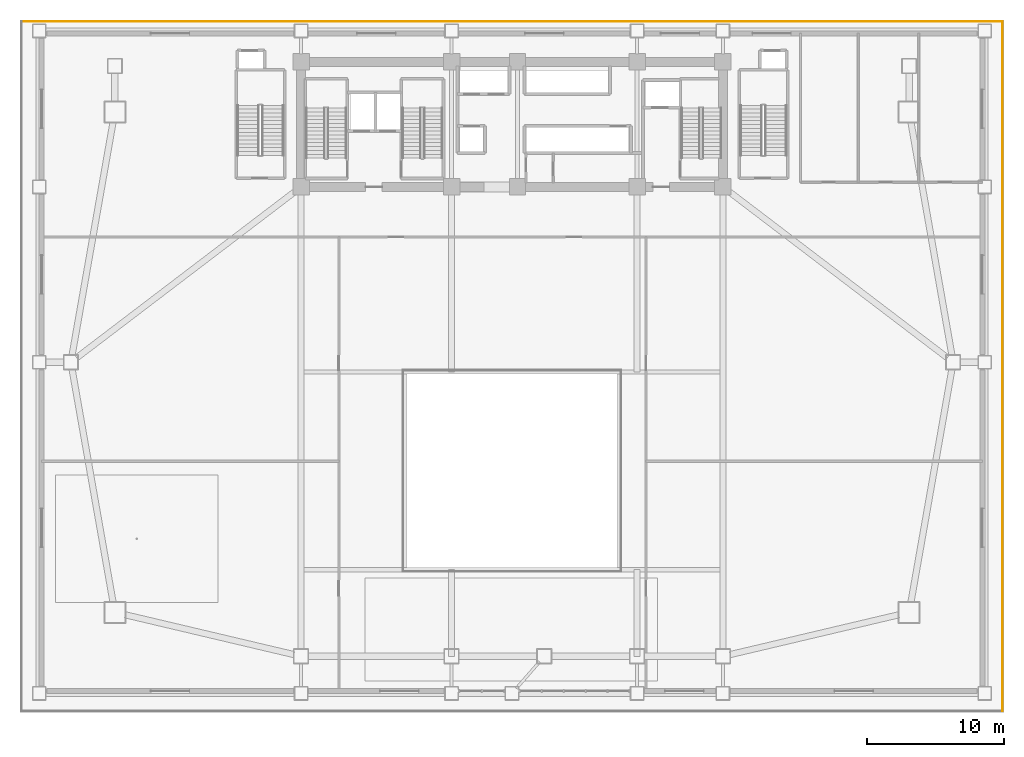
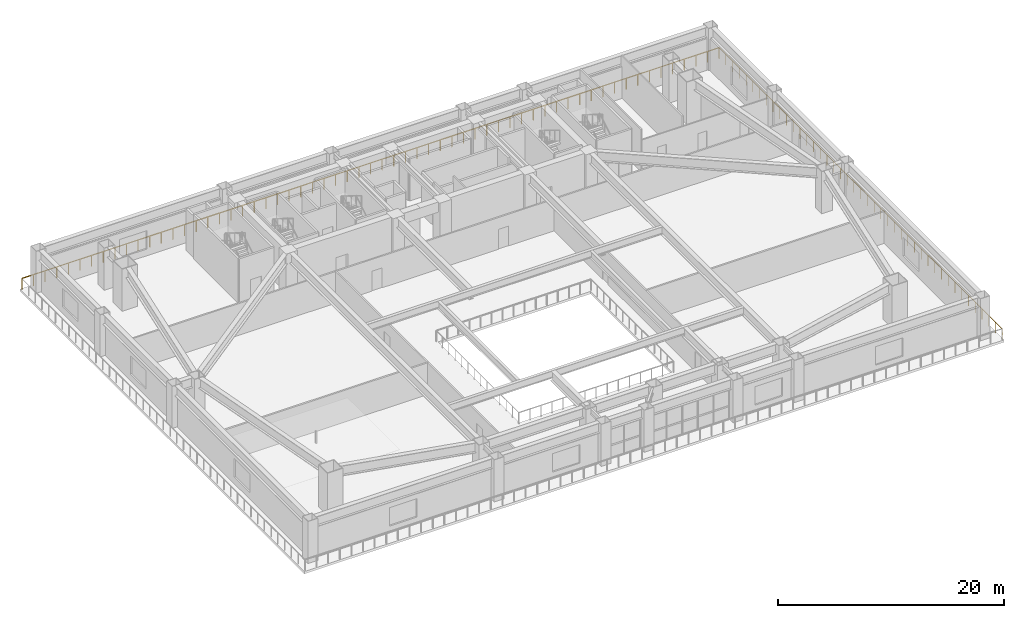
# One storey, part 14 of 14: 2 railings.
"""IFC4 building model written with IfcOpenShell, lengths in metres."""

from ifc_helpers import new_model, si_unit, direction, frame, origin, origin_2d, place, context, subcontext, project, spatial, rectangle, extrude, material, type_object, element, save


model = new_model("IFC4")

# Units and contexts
model_context = context("Model", 3, precision=1e-05, world=origin(), true_north=direction((0.0, 1.0)))
body_context = subcontext(model_context, "Body", "Model", "MODEL_VIEW")
ifc_project = project(units=[si_unit("LENGTHUNIT", "METRE"), si_unit("AREAUNIT", "SQUARE_METRE"), si_unit("VOLUMEUNIT", "CUBIC_METRE"), si_unit("PLANEANGLEUNIT", "RADIAN"), si_unit("MASSUNIT", "GRAM", prefix="KILO")], contexts=[model_context])

# Site, building, storey
site_placement = place(None, origin())
site = spatial("IfcSite", under=ifc_project, at=site_placement, CompositionType="ELEMENT")
building_placement = place(site_placement, origin())
building = spatial("IfcBuilding", under=site, at=building_placement, Name="Giltprow Tower", CompositionType="ELEMENT")
storey_placement = place(building_placement, frame((0.0, 0.0, 10.39990234375)))
storey = spatial("IfcBuildingStorey", under=building, at=storey_placement, Name="L03", CompositionType="ELEMENT", Elevation=10.39990234375)

# Railings
ifc_material = material(Name="Anodized bronze", Category="metal")
railing_type = type_object("IfcRailingType", Name="RAIL-BALC-GUARD-1200", PredefinedType="BALUSTRADE", material=ifc_material)
railing_1_placement = place(storey_placement, frame((70.8798828125, -0.679931640625, 0.0)))
element("IfcRailing", 1, at=railing_1_placement, inside=storey, type_object=railing_type, Name="L03 Podium Perimeter Cornice Balustrade Seg 2", PredefinedType="BALUSTRADE", context=body_context, shape_type="SweptSolid", body=[
    extrude(rectangle(XDim=0.048095703125, YDim=0.048095703125, at=origin_2d()), frame((0.0, 0.0, 1.17578125), z_axis=(0.0, 1.0, 0.0), x_axis=(-1.0, 0.0, 0.0)), (0.0, 0.0, 1.0), 50.159912109375),
    extrude(rectangle(XDim=0.0419921875, YDim=0.0419921875, at=origin_2d()), origin(), (0.0, 0.0, 1.0), 1.15185546875),
    extrude(rectangle(XDim=0.0419921875, YDim=0.0419921875, at=origin_2d()), frame((0.0, 1.1943359375, 0.0)), (0.0, 0.0, 1.0), 1.15185546875),
    extrude(rectangle(XDim=0.0419921875, YDim=0.0419921875, at=origin_2d()), frame((0.0, 2.388671875, 0.0)), (0.0, 0.0, 1.0), 1.15185546875),
    extrude(rectangle(XDim=0.0419921875, YDim=0.0419921875, at=origin_2d()), frame((0.0, 3.582763671875, 0.0)), (0.0, 0.0, 1.0), 1.15185546875),
    extrude(rectangle(XDim=0.0419921875, YDim=0.0419921875, at=origin_2d()), frame((0.0, 4.777099609375, 0.0)), (0.0, 0.0, 1.0), 1.15185546875),
    extrude(rectangle(XDim=0.0419921875, YDim=0.0419921875, at=origin_2d()), frame((0.0, 5.971435546875, 0.0)), (0.0, 0.0, 1.0), 1.15185546875),
    extrude(rectangle(XDim=0.0419921875, YDim=0.0419921875, at=origin_2d()), frame((0.0, 7.165771484375, 0.0)), (0.0, 0.0, 1.0), 1.15185546875),
    extrude(rectangle(XDim=0.0419921875, YDim=0.0419921875, at=origin_2d()), frame((0.0, 8.35986328125, 0.0)), (0.0, 0.0, 1.0), 1.15185546875),
    extrude(rectangle(XDim=0.0419921875, YDim=0.0419921875, at=origin_2d()), frame((0.0, 9.55419921875, 0.0)), (0.0, 0.0, 1.0), 1.15185546875),
    extrude(rectangle(XDim=0.0419921875, YDim=0.0419921875, at=origin_2d()), frame((0.0, 10.74853515625, 0.0)), (0.0, 0.0, 1.0), 1.15185546875),
    extrude(rectangle(XDim=0.0419921875, YDim=0.0419921875, at=origin_2d()), frame((0.0, 11.94287109375, 0.0)), (0.0, 0.0, 1.0), 1.15185546875),
    extrude(rectangle(XDim=0.0419921875, YDim=0.0419921875, at=origin_2d()), frame((0.0, 13.13720703125, 0.0)), (0.0, 0.0, 1.0), 1.15185546875),
    extrude(rectangle(XDim=0.0419921875, YDim=0.0419921875, at=origin_2d()), frame((0.0, 14.331298828125, 0.0)), (0.0, 0.0, 1.0), 1.15185546875),
    extrude(rectangle(XDim=0.0419921875, YDim=0.0419921875, at=origin_2d()), frame((0.0, 15.525634765625, 0.0)), (0.0, 0.0, 1.0), 1.15185546875),
    extrude(rectangle(XDim=0.0419921875, YDim=0.0419921875, at=origin_2d()), frame((0.0, 16.719970703125, 0.0)), (0.0, 0.0, 1.0), 1.15185546875),
    extrude(rectangle(XDim=0.0419921875, YDim=0.0419921875, at=origin_2d()), frame((0.0, 17.914306640625, 0.0)), (0.0, 0.0, 1.0), 1.15185546875),
    extrude(rectangle(XDim=0.0419921875, YDim=0.0419921875, at=origin_2d()), frame((0.0, 19.108642578125, 0.0)), (0.0, 0.0, 1.0), 1.15185546875),
    extrude(rectangle(XDim=0.0419921875, YDim=0.0419921875, at=origin_2d()), frame((0.0, 20.302734375, 0.0)), (0.0, 0.0, 1.0), 1.15185546875),
    extrude(rectangle(XDim=0.0419921875, YDim=0.0419921875, at=origin_2d()), frame((0.0, 21.4970703125, 0.0)), (0.0, 0.0, 1.0), 1.15185546875),
    extrude(rectangle(XDim=0.0419921875, YDim=0.0419921875, at=origin_2d()), frame((0.0, 22.69140625, 0.0)), (0.0, 0.0, 1.0), 1.15185546875),
    extrude(rectangle(XDim=0.0419921875, YDim=0.0419921875, at=origin_2d()), frame((0.0, 23.8857421875, 0.0)), (0.0, 0.0, 1.0), 1.15185546875),
    extrude(rectangle(XDim=0.0419921875, YDim=0.0419921875, at=origin_2d()), frame((0.0, 25.080078125, 0.0)), (0.0, 0.0, 1.0), 1.15185546875),
    extrude(rectangle(XDim=0.0419921875, YDim=0.0419921875, at=origin_2d()), frame((0.0, 26.274169921875, 0.0)), (0.0, 0.0, 1.0), 1.15185546875),
    extrude(rectangle(XDim=0.0419921875, YDim=0.0419921875, at=origin_2d()), frame((0.0, 27.468505859375, 0.0)), (0.0, 0.0, 1.0), 1.15185546875),
    extrude(rectangle(XDim=0.0419921875, YDim=0.0419921875, at=origin_2d()), frame((0.0, 28.662841796875, 0.0)), (0.0, 0.0, 1.0), 1.15185546875),
    extrude(rectangle(XDim=0.0419921875, YDim=0.0419921875, at=origin_2d()), frame((0.0, 29.857177734375, 0.0)), (0.0, 0.0, 1.0), 1.15185546875),
    extrude(rectangle(XDim=0.0419921875, YDim=0.0419921875, at=origin_2d()), frame((0.0, 31.05126953125, 0.0)), (0.0, 0.0, 1.0), 1.15185546875),
    extrude(rectangle(XDim=0.0419921875, YDim=0.0419921875, at=origin_2d()), frame((0.0, 32.24560546875, 0.0)), (0.0, 0.0, 1.0), 1.15185546875),
    extrude(rectangle(XDim=0.0419921875, YDim=0.0419921875, at=origin_2d()), frame((0.0, 33.43994140625, 0.0)), (0.0, 0.0, 1.0), 1.15185546875),
    extrude(rectangle(XDim=0.0419921875, YDim=0.0419921875, at=origin_2d()), frame((0.0, 34.63427734375, 0.0)), (0.0, 0.0, 1.0), 1.15185546875),
    extrude(rectangle(XDim=0.0419921875, YDim=0.0419921875, at=origin_2d()), frame((0.0, 35.82861328125, 0.0)), (0.0, 0.0, 1.0), 1.15185546875),
    extrude(rectangle(XDim=0.0419921875, YDim=0.0419921875, at=origin_2d()), frame((0.0, 37.022705078125, 0.0)), (0.0, 0.0, 1.0), 1.15185546875),
    extrude(rectangle(XDim=0.0419921875, YDim=0.0419921875, at=origin_2d()), frame((0.0, 38.217041015625, 0.0)), (0.0, 0.0, 1.0), 1.15185546875),
    extrude(rectangle(XDim=0.0419921875, YDim=0.0419921875, at=origin_2d()), frame((0.0, 39.411376953125, 0.0)), (0.0, 0.0, 1.0), 1.15185546875),
    extrude(rectangle(XDim=0.0419921875, YDim=0.0419921875, at=origin_2d()), frame((0.0, 40.605712890625, 0.0)), (0.0, 0.0, 1.0), 1.15185546875),
    extrude(rectangle(XDim=0.0419921875, YDim=0.0419921875, at=origin_2d()), frame((0.0, 41.7998046875, 0.0)), (0.0, 0.0, 1.0), 1.15185546875),
    extrude(rectangle(XDim=0.0419921875, YDim=0.0419921875, at=origin_2d()), frame((0.0, 42.994140625, 0.0)), (0.0, 0.0, 1.0), 1.15185546875),
    extrude(rectangle(XDim=0.0419921875, YDim=0.0419921875, at=origin_2d()), frame((0.0, 44.1884765625, 0.0)), (0.0, 0.0, 1.0), 1.15185546875),
    extrude(rectangle(XDim=0.0419921875, YDim=0.0419921875, at=origin_2d()), frame((0.0, 45.3828125, 0.0)), (0.0, 0.0, 1.0), 1.15185546875),
    extrude(rectangle(XDim=0.0419921875, YDim=0.0419921875, at=origin_2d()), frame((0.0, 46.5771484375, 0.0)), (0.0, 0.0, 1.0), 1.15185546875),
    extrude(rectangle(XDim=0.0419921875, YDim=0.0419921875, at=origin_2d()), frame((0.0, 47.771240234375, 0.0)), (0.0, 0.0, 1.0), 1.15185546875),
    extrude(rectangle(XDim=0.0419921875, YDim=0.0419921875, at=origin_2d()), frame((0.0, 48.965576171875, 0.0)), (0.0, 0.0, 1.0), 1.15185546875),
    extrude(rectangle(XDim=0.0419921875, YDim=0.0419921875, at=origin_2d()), frame((0.0, 50.159912109375, 0.0)), (0.0, 0.0, 1.0), 1.15185546875),
])
railing_2_placement = place(storey_placement, frame((70.8798828125, 49.47998046875, 0.0)))
element("IfcRailing", 2, at=railing_2_placement, inside=storey, type_object=railing_type, Name="L03 Podium Perimeter Cornice Balustrade Seg 3", PredefinedType="BALUSTRADE", context=body_context, shape_type="SweptSolid", body=[
    extrude(rectangle(XDim=0.048095703125, YDim=0.048095703125, at=origin_2d()), frame((0.0, 0.0, 1.17578125), z_axis=(-1.0, 0.0, 0.0), x_axis=(0.0, -1.0, 0.0)), (0.0, 0.0, 1.0), 71.35986328125),
    extrude(rectangle(XDim=0.0419921875, YDim=0.0419921875, at=origin_2d()), origin(), (0.0, 0.0, 1.0), 1.15185546875),
    extrude(rectangle(XDim=0.0419921875, YDim=0.0419921875, at=origin_2d()), frame((-1.189453125, 0.0, 0.0)), (0.0, 0.0, 1.0), 1.15185546875),
    extrude(rectangle(XDim=0.0419921875, YDim=0.0419921875, at=origin_2d()), frame((-2.378662109375, 0.0, 0.0)), (0.0, 0.0, 1.0), 1.15185546875),
    extrude(rectangle(XDim=0.0419921875, YDim=0.0419921875, at=origin_2d()), frame((-3.56787109375, 0.0, 0.0)), (0.0, 0.0, 1.0), 1.15185546875),
    extrude(rectangle(XDim=0.0419921875, YDim=0.0419921875, at=origin_2d()), frame((-4.75732421875, 0.0, 0.0)), (0.0, 0.0, 1.0), 1.15185546875),
    extrude(rectangle(XDim=0.0419921875, YDim=0.0419921875, at=origin_2d()), frame((-5.94677734375, 0.0, 0.0)), (0.0, 0.0, 1.0), 1.15185546875),
    extrude(rectangle(XDim=0.0419921875, YDim=0.0419921875, at=origin_2d()), frame((-7.135986328125, 0.0, 0.0)), (0.0, 0.0, 1.0), 1.15185546875),
    extrude(rectangle(XDim=0.0419921875, YDim=0.0419921875, at=origin_2d()), frame((-8.3251953125, 0.0, 0.0)), (0.0, 0.0, 1.0), 1.15185546875),
    extrude(rectangle(XDim=0.0419921875, YDim=0.0419921875, at=origin_2d()), frame((-9.5146484375, 0.0, 0.0)), (0.0, 0.0, 1.0), 1.15185546875),
    extrude(rectangle(XDim=0.0419921875, YDim=0.0419921875, at=origin_2d()), frame((-10.7041015625, 0.0, 0.0)), (0.0, 0.0, 1.0), 1.15185546875),
    extrude(rectangle(XDim=0.0419921875, YDim=0.0419921875, at=origin_2d()), frame((-11.893310546875, 0.0, 0.0)), (0.0, 0.0, 1.0), 1.15185546875),
    extrude(rectangle(XDim=0.0419921875, YDim=0.0419921875, at=origin_2d()), frame((-13.08251953125, 0.0, 0.0)), (0.0, 0.0, 1.0), 1.15185546875),
    extrude(rectangle(XDim=0.0419921875, YDim=0.0419921875, at=origin_2d()), frame((-14.27197265625, 0.0, 0.0)), (0.0, 0.0, 1.0), 1.15185546875),
    extrude(rectangle(XDim=0.0419921875, YDim=0.0419921875, at=origin_2d()), frame((-15.46142578125, 0.0, 0.0)), (0.0, 0.0, 1.0), 1.15185546875),
    extrude(rectangle(XDim=0.0419921875, YDim=0.0419921875, at=origin_2d()), frame((-16.650634765625, 0.0, 0.0)), (0.0, 0.0, 1.0), 1.15185546875),
    extrude(rectangle(XDim=0.0419921875, YDim=0.0419921875, at=origin_2d()), frame((-17.83984375, 0.0, 0.0)), (0.0, 0.0, 1.0), 1.15185546875),
    extrude(rectangle(XDim=0.0419921875, YDim=0.0419921875, at=origin_2d()), frame((-19.029296875, 0.0, 0.0)), (0.0, 0.0, 1.0), 1.15185546875),
    extrude(rectangle(XDim=0.0419921875, YDim=0.0419921875, at=origin_2d()), frame((-20.21875, 0.0, 0.0)), (0.0, 0.0, 1.0), 1.15185546875),
    extrude(rectangle(XDim=0.0419921875, YDim=0.0419921875, at=origin_2d()), frame((-21.407958984375, 0.0, 0.0)), (0.0, 0.0, 1.0), 1.15185546875),
    extrude(rectangle(XDim=0.0419921875, YDim=0.0419921875, at=origin_2d()), frame((-22.59716796875, 0.0, 0.0)), (0.0, 0.0, 1.0), 1.15185546875),
    extrude(rectangle(XDim=0.0419921875, YDim=0.0419921875, at=origin_2d()), frame((-23.78662109375, 0.0, 0.0)), (0.0, 0.0, 1.0), 1.15185546875),
    extrude(rectangle(XDim=0.0419921875, YDim=0.0419921875, at=origin_2d()), frame((-24.97607421875, 0.0, 0.0)), (0.0, 0.0, 1.0), 1.15185546875),
    extrude(rectangle(XDim=0.0419921875, YDim=0.0419921875, at=origin_2d()), frame((-26.165283203125, 0.0, 0.0)), (0.0, 0.0, 1.0), 1.15185546875),
    extrude(rectangle(XDim=0.0419921875, YDim=0.0419921875, at=origin_2d()), frame((-27.354736328125, 0.0, 0.0)), (0.0, 0.0, 1.0), 1.15185546875),
    extrude(rectangle(XDim=0.0419921875, YDim=0.0419921875, at=origin_2d()), frame((-28.5439453125, 0.0, 0.0)), (0.0, 0.0, 1.0), 1.15185546875),
    extrude(rectangle(XDim=0.0419921875, YDim=0.0419921875, at=origin_2d()), frame((-29.7333984375, 0.0, 0.0)), (0.0, 0.0, 1.0), 1.15185546875),
    extrude(rectangle(XDim=0.0419921875, YDim=0.0419921875, at=origin_2d()), frame((-30.922607421875, 0.0, 0.0)), (0.0, 0.0, 1.0), 1.15185546875),
    extrude(rectangle(XDim=0.0419921875, YDim=0.0419921875, at=origin_2d()), frame((-32.11181640625, 0.0, 0.0)), (0.0, 0.0, 1.0), 1.15185546875),
    extrude(rectangle(XDim=0.0419921875, YDim=0.0419921875, at=origin_2d()), frame((-33.30126953125, 0.0, 0.0)), (0.0, 0.0, 1.0), 1.15185546875),
    extrude(rectangle(XDim=0.0419921875, YDim=0.0419921875, at=origin_2d()), frame((-34.49072265625, 0.0, 0.0)), (0.0, 0.0, 1.0), 1.15185546875),
    extrude(rectangle(XDim=0.0419921875, YDim=0.0419921875, at=origin_2d()), frame((-35.679931640625, 0.0, 0.0)), (0.0, 0.0, 1.0), 1.15185546875),
    extrude(rectangle(XDim=0.0419921875, YDim=0.0419921875, at=origin_2d()), frame((-36.869384765625, 0.0, 0.0)), (0.0, 0.0, 1.0), 1.15185546875),
    extrude(rectangle(XDim=0.0419921875, YDim=0.0419921875, at=origin_2d()), frame((-38.05859375, 0.0, 0.0)), (0.0, 0.0, 1.0), 1.15185546875),
    extrude(rectangle(XDim=0.0419921875, YDim=0.0419921875, at=origin_2d()), frame((-39.248046875, 0.0, 0.0)), (0.0, 0.0, 1.0), 1.15185546875),
    extrude(rectangle(XDim=0.0419921875, YDim=0.0419921875, at=origin_2d()), frame((-40.437255859375, 0.0, 0.0)), (0.0, 0.0, 1.0), 1.15185546875),
    extrude(rectangle(XDim=0.0419921875, YDim=0.0419921875, at=origin_2d()), frame((-41.62646484375, 0.0, 0.0)), (0.0, 0.0, 1.0), 1.15185546875),
    extrude(rectangle(XDim=0.0419921875, YDim=0.0419921875, at=origin_2d()), frame((-42.81591796875, 0.0, 0.0)), (0.0, 0.0, 1.0), 1.15185546875),
    extrude(rectangle(XDim=0.0419921875, YDim=0.0419921875, at=origin_2d()), frame((-44.00537109375, 0.0, 0.0)), (0.0, 0.0, 1.0), 1.15185546875),
    extrude(rectangle(XDim=0.0419921875, YDim=0.0419921875, at=origin_2d()), frame((-45.194580078125, 0.0, 0.0)), (0.0, 0.0, 1.0), 1.15185546875),
    extrude(rectangle(XDim=0.0419921875, YDim=0.0419921875, at=origin_2d()), frame((-46.3837890625, 0.0, 0.0)), (0.0, 0.0, 1.0), 1.15185546875),
    extrude(rectangle(XDim=0.0419921875, YDim=0.0419921875, at=origin_2d()), frame((-47.5732421875, 0.0, 0.0)), (0.0, 0.0, 1.0), 1.15185546875),
    extrude(rectangle(XDim=0.0419921875, YDim=0.0419921875, at=origin_2d()), frame((-48.7626953125, 0.0, 0.0)), (0.0, 0.0, 1.0), 1.15185546875),
    extrude(rectangle(XDim=0.0419921875, YDim=0.0419921875, at=origin_2d()), frame((-49.951904296875, 0.0, 0.0)), (0.0, 0.0, 1.0), 1.15185546875),
    extrude(rectangle(XDim=0.0419921875, YDim=0.0419921875, at=origin_2d()), frame((-51.14111328125, 0.0, 0.0)), (0.0, 0.0, 1.0), 1.15185546875),
    extrude(rectangle(XDim=0.0419921875, YDim=0.0419921875, at=origin_2d()), frame((-52.33056640625, 0.0, 0.0)), (0.0, 0.0, 1.0), 1.15185546875),
    extrude(rectangle(XDim=0.0419921875, YDim=0.0419921875, at=origin_2d()), frame((-53.52001953125, 0.0, 0.0)), (0.0, 0.0, 1.0), 1.15185546875),
    extrude(rectangle(XDim=0.0419921875, YDim=0.0419921875, at=origin_2d()), frame((-54.709228515625, 0.0, 0.0)), (0.0, 0.0, 1.0), 1.15185546875),
    extrude(rectangle(XDim=0.0419921875, YDim=0.0419921875, at=origin_2d()), frame((-55.8984375, 0.0, 0.0)), (0.0, 0.0, 1.0), 1.15185546875),
    extrude(rectangle(XDim=0.0419921875, YDim=0.0419921875, at=origin_2d()), frame((-57.087890625, 0.0, 0.0)), (0.0, 0.0, 1.0), 1.15185546875),
    extrude(rectangle(XDim=0.0419921875, YDim=0.0419921875, at=origin_2d()), frame((-58.27734375, 0.0, 0.0)), (0.0, 0.0, 1.0), 1.15185546875),
    extrude(rectangle(XDim=0.0419921875, YDim=0.0419921875, at=origin_2d()), frame((-59.466552734375, 0.0, 0.0)), (0.0, 0.0, 1.0), 1.15185546875),
    extrude(rectangle(XDim=0.0419921875, YDim=0.0419921875, at=origin_2d()), frame((-60.65576171875, 0.0, 0.0)), (0.0, 0.0, 1.0), 1.15185546875),
    extrude(rectangle(XDim=0.0419921875, YDim=0.0419921875, at=origin_2d()), frame((-61.84521484375, 0.0, 0.0)), (0.0, 0.0, 1.0), 1.15185546875),
    extrude(rectangle(XDim=0.0419921875, YDim=0.0419921875, at=origin_2d()), frame((-63.03466796875, 0.0, 0.0)), (0.0, 0.0, 1.0), 1.15185546875),
    extrude(rectangle(XDim=0.0419921875, YDim=0.0419921875, at=origin_2d()), frame((-64.223876953125, 0.0, 0.0)), (0.0, 0.0, 1.0), 1.15185546875),
    extrude(rectangle(XDim=0.0419921875, YDim=0.0419921875, at=origin_2d()), frame((-65.4130859375, 0.0, 0.0)), (0.0, 0.0, 1.0), 1.15185546875),
    extrude(rectangle(XDim=0.0419921875, YDim=0.0419921875, at=origin_2d()), frame((-66.6025390625, 0.0, 0.0)), (0.0, 0.0, 1.0), 1.15185546875),
    extrude(rectangle(XDim=0.0419921875, YDim=0.0419921875, at=origin_2d()), frame((-67.7919921875, 0.0, 0.0)), (0.0, 0.0, 1.0), 1.15185546875),
    extrude(rectangle(XDim=0.0419921875, YDim=0.0419921875, at=origin_2d()), frame((-68.981201171875, 0.0, 0.0)), (0.0, 0.0, 1.0), 1.15185546875),
    extrude(rectangle(XDim=0.0419921875, YDim=0.0419921875, at=origin_2d()), frame((-70.17041015625, 0.0, 0.0)), (0.0, 0.0, 1.0), 1.15185546875),
    extrude(rectangle(XDim=0.0419921875, YDim=0.0419921875, at=origin_2d()), frame((-71.35986328125, 0.0, 0.0)), (0.0, 0.0, 1.0), 1.15185546875),
])

save(model, "model.ifc")
